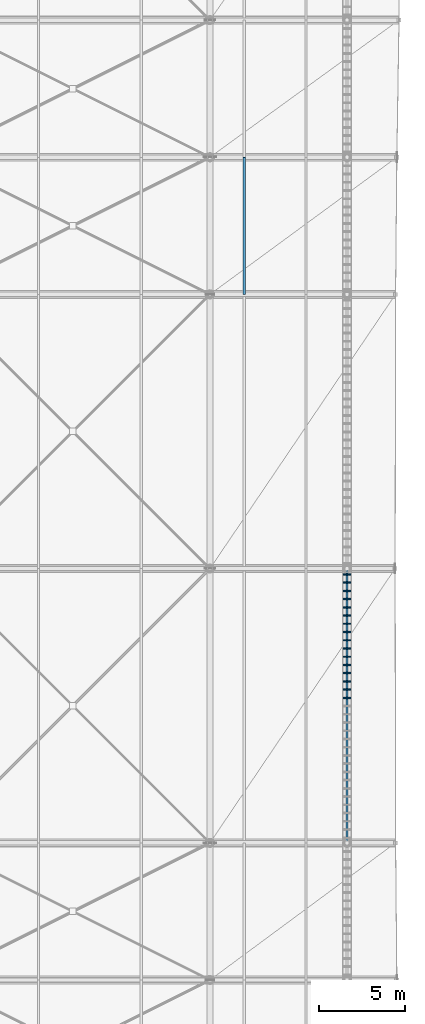
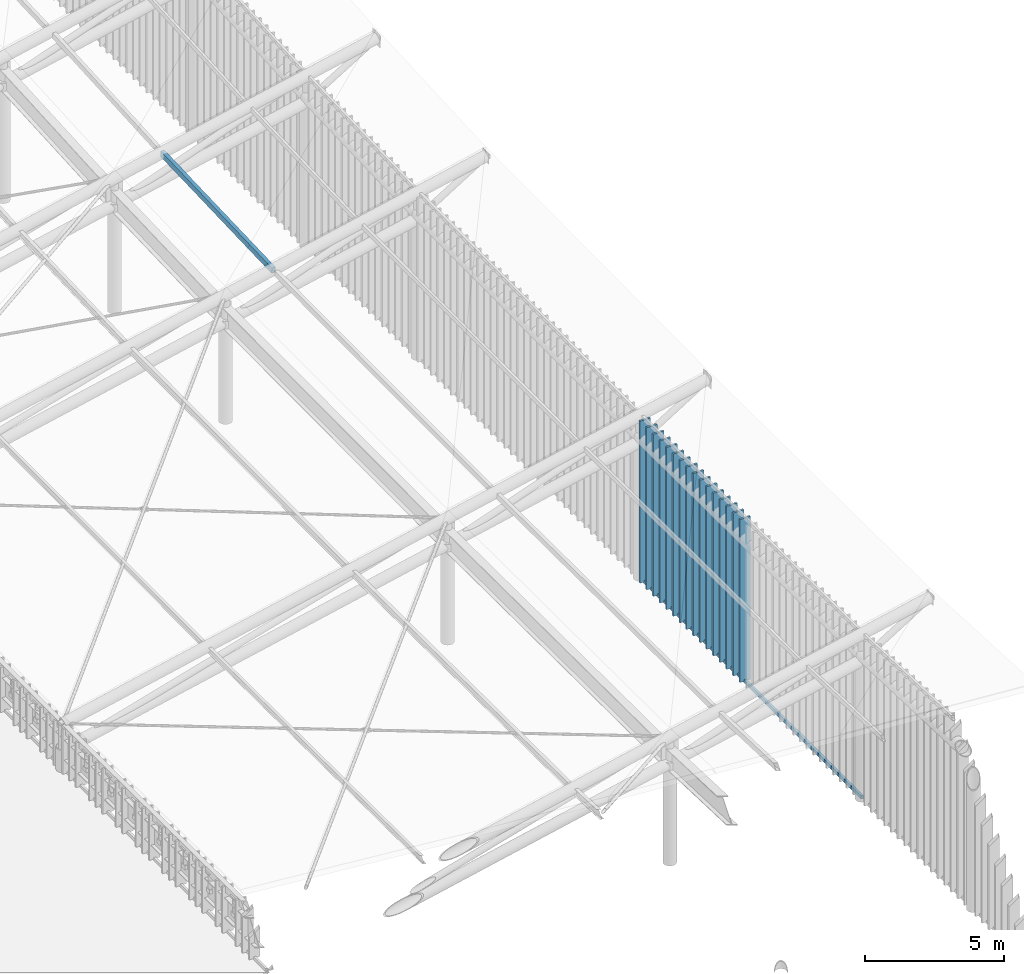
# One storey, part 9 of 25: 18 members.
"""IFC4 building model written with IfcOpenShell, lengths in metres."""

import ifcopenshell
import ifcopenshell.guid

model = None  # the IFC model being written
_history = None  # IfcOwnerHistory: only IFC2X3 demands one
_inside = {}  # id of a spatial element -> (the spatial element, [elements in it])
_under = {}  # id of a project, library or spatial element -> (it, [spatial elements below it])
_declared = {}  # id of a project -> (the project, [libraries it declares])
_typed = {}  # id of a type object -> (the type object, [elements of that type])
_made_of = {}  # id of a material, layer set ... -> (it, [elements and type objects made of it])


def new_model(schema):
    """Start an empty IFC model of exactly this schema.

    Asked for "IFC4X3", IfcOpenShell would pick the latest addendum, in which some entities
    have other attributes; the version numbers below select the first issue.
    IFC2X3 requires an IfcOwnerHistory on every rooted entity: one is made here for all.
    """
    global model, _history
    if schema == "IFC4X3":
        model = ifcopenshell.file(schema_version=(4, 3, 0, 0))
    else:
        model = ifcopenshell.file(schema=schema)
    _inside.clear()
    _under.clear()
    _declared.clear()
    _typed.clear()
    _made_of.clear()
    _history = None
    if model.schema == "IFC2X3":
        org = make("IfcOrganization", Name="unknown")
        user = make(
            "IfcPersonAndOrganization",
            ThePerson=make("IfcPerson", FamilyName="unknown"),
            TheOrganization=org,
        )
        app = make(
            "IfcApplication",
            ApplicationDeveloper=org,
            Version="unknown",
            ApplicationFullName="unknown",
            ApplicationIdentifier="unknown",
        )
        _history = make(
            "IfcOwnerHistory",
            OwningUser=user,
            OwningApplication=app,
            ChangeAction="ADDED",
            CreationDate=0,
        )
    return model


def make(cls, **values):
    """One entity of the class cls with the attributes given. An attribute that is None is left unset."""
    return model.create_entity(
        cls, **{name: value for name, value in values.items() if value is not None}
    )


def rooted(cls, **values):
    """An entity with a GlobalId (a new one), such as an element, a storey or a relation."""
    return make(cls, GlobalId=ifcopenshell.guid.new(), OwnerHistory=_history, **values)


def si_unit(unit_type, name, prefix=None):
    """IfcSIUnit, for example si_unit("LENGTHUNIT", "METRE", prefix="MILLI")."""
    return make("IfcSIUnit", UnitType=unit_type, Prefix=prefix, Name=name)


def assignment(units):
    """IfcUnitAssignment: the units of a project."""
    return None if units is None else make("IfcUnitAssignment", Units=units)


def point(xyz):
    """IfcCartesianPoint."""
    return None if xyz is None else make("IfcCartesianPoint", Coordinates=xyz)


def direction(xyz):
    """IfcDirection."""
    return None if xyz is None else make("IfcDirection", DirectionRatios=xyz)


def frame(location, z_axis=None, x_axis=None):
    """IfcAxis2Placement3D, a coordinate frame: its origin and axes. An axis left out is left unset."""
    return make(
        "IfcAxis2Placement3D",
        Location=point(location),
        Axis=direction(z_axis),
        RefDirection=direction(x_axis),
    )


def frame_2d(location, x_axis=None):
    """IfcAxis2Placement2D, a coordinate frame in the plane: its origin and x axis."""
    return make(
        "IfcAxis2Placement2D", Location=point(location), RefDirection=direction(x_axis)
    )


def origin():
    """The frame at (0, 0, 0) with its axes left unset."""
    return frame((0.0, 0.0, 0.0))


def origin_2d():
    """The frame at (0, 0) in the plane with its x axis left unset."""
    return frame_2d((0.0, 0.0))


def place(relative_to, where):
    """IfcLocalPlacement: puts the frame where relative to a parent placement (None: the world)."""
    return make(
        "IfcLocalPlacement", PlacementRelTo=relative_to, RelativePlacement=where
    )


def context(
    kind, dimensions, precision=None, world=None, true_north=None, identifier=None
):
    """IfcGeometricRepresentationContext, for example the 3D "Model" context."""
    return make(
        "IfcGeometricRepresentationContext",
        ContextIdentifier=identifier,
        ContextType=kind,
        CoordinateSpaceDimension=dimensions,
        Precision=precision,
        WorldCoordinateSystem=world,
        TrueNorth=true_north,
    )


def subcontext(parent, identifier, kind, view, scale=None):
    """IfcGeometricRepresentationSubContext, for example "Body" below "Model"."""
    return make(
        "IfcGeometricRepresentationSubContext",
        ContextIdentifier=identifier,
        ContextType=kind,
        ParentContext=parent,
        TargetScale=scale,
        TargetView=view,
    )


def project(units=None, contexts=None):
    """IfcProject with its units and contexts."""
    return rooted(
        "IfcProject",
        Name="project",
        RepresentationContexts=contexts,
        UnitsInContext=assignment(units),
    )


def spatial(cls, under=None, at=None, **own):
    """A site, building, storey or space (cls), placed at a placement, below another one or the project."""
    s = rooted(cls, ObjectPlacement=at, **own)
    if under is not None:
        _under.setdefault(under.id(), (under, []))[1].append(s)
    return s


def profile(cls, at=None, kind="AREA", **sizes):
    """A parametric profile (cls). Its sizes go by their IFC names, for example OverallWidth=200.0."""
    return make(cls, ProfileType=kind, Position=at, **sizes)


def rectangle(**sizes):
    """IfcRectangleProfileDef."""
    return profile("IfcRectangleProfileDef", **sizes)


def hollow_rectangle(**sizes):
    """IfcRectangleHollowProfileDef."""
    return profile("IfcRectangleHollowProfileDef", **sizes)


def extrude(swept, where, along, depth):
    """IfcExtrudedAreaSolid: the profile swept, set in the frame where, extruded along a direction by depth."""
    return make(
        "IfcExtrudedAreaSolid",
        SweptArea=swept,
        Position=where,
        ExtrudedDirection=direction(along),
        Depth=depth,
    )


def shape(context_of_items, identifier, shape_type, items):
    """IfcShapeRepresentation: the items that make up one representation, for example the "Body"."""
    return make(
        "IfcShapeRepresentation",
        ContextOfItems=context_of_items,
        RepresentationIdentifier=identifier,
        RepresentationType=shape_type,
        Items=items,
    )


def material(Name=None, Category=None):
    """IfcMaterial."""
    return make("IfcMaterial", Name=Name, Category=Category)


def material_profile(
    of_material, cross_section, Name=None, Category=None, Priority=None
):
    """IfcMaterialProfile: a cross section and its material."""
    return make(
        "IfcMaterialProfile",
        Name=Name,
        Material=of_material,
        Profile=cross_section,
        Priority=Priority,
        Category=Category,
    )


def profile_set(profiles, Name=None, composite=None):
    """IfcMaterialProfileSet."""
    return make(
        "IfcMaterialProfileSet",
        Name=Name,
        MaterialProfiles=profiles,
        CompositeProfile=composite,
    )


def made_of(thing, what):
    """Note that an element or type object is made of a material, layer set ...; save() writes the relation."""
    if what is not None:
        _made_of.setdefault(what.id(), (what, []))[1].append(thing)
    return thing


def type_object(cls, material=None, **own):
    """A type object (cls), such as IfcWallType, which elements share."""
    return made_of(rooted(cls, **own), material)


def element(
    cls,
    number,
    at=None,
    inside=None,
    cuts=None,
    type_object=None,
    material=None,
    context=None,
    identifier="Body",
    shape_type=None,
    held_by="IfcProductDefinitionShape",
    body=None,
    shapes=None,
    **own,
):
    """One element of the class cls, such as IfcWall. Its Tag is "e" and its number.

    at: its placement. inside: the storey or other place that contains it. cuts: it is an
    opening in that element (IfcRelVoidsElement). A single representation is given by context,
    identifier, shape_type and body (its items); several are given by shapes. held_by: the class
    of the entity that holds the representations. save() writes the other relations.
    """
    e = rooted(cls, Tag="e%d" % number, ObjectPlacement=at, **own)
    if body is not None:
        shapes = [shape(context, identifier, shape_type, body)]
    if shapes is not None:
        e.Representation = make(held_by, Representations=shapes)
    if inside is not None:
        _inside.setdefault(inside.id(), (inside, []))[1].append(e)
    if cuts is not None:
        rooted(
            "IfcRelVoidsElement", RelatingBuildingElement=cuts, RelatedOpeningElement=e
        )
    if type_object is not None:
        _typed.setdefault(type_object.id(), (type_object, []))[1].append(e)
    return made_of(e, material)


def aggregate(whole, parts):
    """IfcRelAggregates: a whole, such as a stair, and the parts it consists of."""
    return rooted("IfcRelAggregates", RelatingObject=whole, RelatedObjects=parts)


def save(model, path):
    """Write the relations noted so far, then the file.

    IfcRelAggregates (storeys below a building ...), IfcRelContainedInSpatialStructure (elements
    in a storey), IfcRelDefinesByType, IfcRelAssociatesMaterial and IfcRelDeclares: one each for
    every whole, place, type object, material and project.
    """
    for whole, parts in _under.values():
        aggregate(whole, parts)
    for where, things in _inside.values():
        rooted(
            "IfcRelContainedInSpatialStructure",
            RelatedElements=things,
            RelatingStructure=where,
        )
    for kind, things in _typed.values():
        rooted("IfcRelDefinesByType", RelatedObjects=things, RelatingType=kind)
    for what, things in _made_of.values():
        rooted("IfcRelAssociatesMaterial", RelatedObjects=things, RelatingMaterial=what)
    for by, libraries in _declared.values():
        rooted("IfcRelDeclares", RelatingContext=by, RelatedDefinitions=libraries)
    model.write(path)


model = new_model("IFC4")

# Units and contexts
model_context = context("Model", 3, precision=1e-05, world=origin(), true_north=direction((0.0, 1.0)))
body_context = subcontext(model_context, "Body", "Model", "MODEL_VIEW")
ifc_project = project(units=[si_unit("LENGTHUNIT", "METRE"), si_unit("AREAUNIT", "SQUARE_METRE"), si_unit("VOLUMEUNIT", "CUBIC_METRE"), si_unit("PLANEANGLEUNIT", "RADIAN"), si_unit("MASSUNIT", "GRAM", prefix="KILO")], contexts=[model_context])

# Site, building, storey
site_placement = place(None, origin())
site = spatial("IfcSite", under=ifc_project, at=site_placement, CompositionType="ELEMENT")
building_placement = place(site_placement, origin())
building = spatial("IfcBuilding", under=site, at=building_placement, Name="Haebicheon Civic Stadium", CompositionType="ELEMENT")
storey_placement = place(building_placement, frame((0.0, 0.0, 31.199951171875)))
storey = spatial("IfcBuildingStorey", under=building, at=storey_placement, Name="RF", CompositionType="ELEMENT", Elevation=31.199951171875)

# Members
ifc_material_1 = material(Name="Acetylated timber GL28h", Category="wood")
ifc_material_profile_1 = material_profile(ifc_material_1, rectangle(XDim=0.080078125, YDim=0.43994140625, at=origin_2d()), Name="TMB-LOUV-80x440")
ifc_profile_set_1 = profile_set([ifc_material_profile_1], Name="Acetylated timber GL28h")
member_type_1 = type_object("IfcMemberType", Name="CRN-LVR-440x80", PredefinedType="PLATE", material=ifc_profile_set_1)
member_1_placement = place(storey_placement, frame((72.0, 80.4599609375, 0.050048828125), z_axis=(0.0, 0.0, 1.0), x_axis=(0.0, 1.0, 0.0)))
element("IfcMember", 1, at=member_1_placement, inside=storey, type_object=member_type_1, material=ifc_profile_set_1, Name="Crown wind-baffle slat E.4.18", PredefinedType="PLATE", context=body_context, shape_type="SweptSolid", body=[
    extrude(rectangle(XDim=0.080078125, YDim=0.43994140625, at=origin_2d()), origin(), (0.0, 0.0, 1.0), 7.1650390625),
])
member_2_placement = place(storey_placement, frame((72.0, 80.93994140625, 0.050048828125), z_axis=(0.0, 0.0, 1.0), x_axis=(0.0, 1.0, 0.0)))
element("IfcMember", 2, at=member_2_placement, inside=storey, type_object=member_type_1, material=ifc_profile_set_1, Name="Crown wind-baffle slat E.4.19", PredefinedType="PLATE", context=body_context, shape_type="SweptSolid", body=[
    extrude(rectangle(XDim=0.080078125, YDim=0.43994140625, at=origin_2d()), origin(), (0.0, 0.0, 1.0), 7.162109375),
])
member_3_placement = place(storey_placement, frame((72.0, 81.419921875, 0.050048828125), z_axis=(0.0, 0.0, 1.0), x_axis=(0.0, 1.0, 0.0)))
element("IfcMember", 3, at=member_3_placement, inside=storey, type_object=member_type_1, material=ifc_profile_set_1, Name="Crown wind-baffle slat E.4.20", PredefinedType="PLATE", context=body_context, shape_type="SweptSolid", body=[
    extrude(rectangle(XDim=0.080078125, YDim=0.43994140625, at=origin_2d()), origin(), (0.0, 0.0, 1.0), 7.158935546875),
])
member_4_placement = place(storey_placement, frame((72.0, 81.89990234375, 0.050048828125), z_axis=(0.0, 0.0, 1.0), x_axis=(0.0, 1.0, 0.0)))
element("IfcMember", 4, at=member_4_placement, inside=storey, type_object=member_type_1, material=ifc_profile_set_1, Name="Crown wind-baffle slat E.4.21", PredefinedType="PLATE", context=body_context, shape_type="SweptSolid", body=[
    extrude(rectangle(XDim=0.080078125, YDim=0.43994140625, at=origin_2d()), origin(), (0.0, 0.0, 1.0), 7.156982421875),
])
member_5_placement = place(storey_placement, frame((72.0, 82.3798828125, 0.050048828125), z_axis=(0.0, 0.0, 1.0), x_axis=(0.0, 1.0, 0.0)))
element("IfcMember", 5, at=member_5_placement, inside=storey, type_object=member_type_1, material=ifc_profile_set_1, Name="Crown wind-baffle slat E.4.22", PredefinedType="PLATE", context=body_context, shape_type="SweptSolid", body=[
    extrude(rectangle(XDim=0.080078125, YDim=0.43994140625, at=origin_2d()), origin(), (0.0, 0.0, 1.0), 7.154052734375),
])
member_6_placement = place(storey_placement, frame((72.0, 82.860107421875, 0.050048828125), z_axis=(0.0, 0.0, 1.0), x_axis=(0.0, 1.0, 0.0)))
element("IfcMember", 6, at=member_6_placement, inside=storey, type_object=member_type_1, material=ifc_profile_set_1, Name="Crown wind-baffle slat E.4.23", PredefinedType="PLATE", context=body_context, shape_type="SweptSolid", body=[
    extrude(rectangle(XDim=0.080078125, YDim=0.43994140625, at=origin_2d()), origin(), (0.0, 0.0, 1.0), 7.15087890625),
])
member_7_placement = place(storey_placement, frame((72.0, 83.340087890625, 0.050048828125), z_axis=(0.0, 0.0, 1.0), x_axis=(0.0, 1.0, 0.0)))
element("IfcMember", 7, at=member_7_placement, inside=storey, type_object=member_type_1, material=ifc_profile_set_1, Name="Crown wind-baffle slat E.4.24", PredefinedType="PLATE", context=body_context, shape_type="SweptSolid", body=[
    extrude(rectangle(XDim=0.080078125, YDim=0.43994140625, at=origin_2d()), origin(), (0.0, 0.0, 1.0), 7.14794921875),
])
member_8_placement = place(storey_placement, frame((72.0, 83.820068359375, 0.050048828125), z_axis=(0.0, 0.0, 1.0), x_axis=(0.0, 1.0, 0.0)))
element("IfcMember", 8, at=member_8_placement, inside=storey, type_object=member_type_1, material=ifc_profile_set_1, Name="Crown wind-baffle slat E.4.25", PredefinedType="PLATE", context=body_context, shape_type="SweptSolid", body=[
    extrude(rectangle(XDim=0.080078125, YDim=0.43994140625, at=origin_2d()), origin(), (0.0, 0.0, 1.0), 7.14501953125),
])
member_9_placement = place(storey_placement, frame((72.0, 84.300048828125, 0.050048828125), z_axis=(0.0, 0.0, 1.0), x_axis=(0.0, 1.0, 0.0)))
element("IfcMember", 9, at=member_9_placement, inside=storey, type_object=member_type_1, material=ifc_profile_set_1, Name="Crown wind-baffle slat E.4.26", PredefinedType="PLATE", context=body_context, shape_type="SweptSolid", body=[
    extrude(rectangle(XDim=0.080078125, YDim=0.43994140625, at=origin_2d()), origin(), (0.0, 0.0, 1.0), 7.14208984375),
])
member_10_placement = place(storey_placement, frame((72.0, 84.780029296875, 0.050048828125), z_axis=(0.0, 0.0, 1.0), x_axis=(0.0, 1.0, 0.0)))
element("IfcMember", 10, at=member_10_placement, inside=storey, type_object=member_type_1, material=ifc_profile_set_1, Name="Crown wind-baffle slat E.4.27", PredefinedType="PLATE", context=body_context, shape_type="SweptSolid", body=[
    extrude(rectangle(XDim=0.080078125, YDim=0.43994140625, at=origin_2d()), origin(), (0.0, 0.0, 1.0), 7.138916015625),
])
member_11_placement = place(storey_placement, frame((72.0, 85.260009765625, 0.050048828125), z_axis=(0.0, 0.0, 1.0), x_axis=(0.0, 1.0, 0.0)))
element("IfcMember", 11, at=member_11_placement, inside=storey, type_object=member_type_1, material=ifc_profile_set_1, Name="Crown wind-baffle slat E.4.28", PredefinedType="PLATE", context=body_context, shape_type="SweptSolid", body=[
    extrude(rectangle(XDim=0.080078125, YDim=0.43994140625, at=origin_2d()), origin(), (0.0, 0.0, 1.0), 7.135986328125),
])
member_12_placement = place(storey_placement, frame((72.0, 85.739990234375, 0.050048828125), z_axis=(0.0, 0.0, 1.0), x_axis=(0.0, 1.0, 0.0)))
element("IfcMember", 12, at=member_12_placement, inside=storey, type_object=member_type_1, material=ifc_profile_set_1, Name="Crown wind-baffle slat E.4.29", PredefinedType="PLATE", context=body_context, shape_type="SweptSolid", body=[
    extrude(rectangle(XDim=0.080078125, YDim=0.43994140625, at=origin_2d()), origin(), (0.0, 0.0, 1.0), 7.134033203125),
])
member_13_placement = place(storey_placement, frame((72.0, 86.219970703125, 0.050048828125), z_axis=(0.0, 0.0, 1.0), x_axis=(0.0, 1.0, 0.0)))
element("IfcMember", 13, at=member_13_placement, inside=storey, type_object=member_type_1, material=ifc_profile_set_1, Name="Crown wind-baffle slat E.4.30", PredefinedType="PLATE", context=body_context, shape_type="SweptSolid", body=[
    extrude(rectangle(XDim=0.080078125, YDim=0.43994140625, at=origin_2d()), origin(), (0.0, 0.0, 1.0), 7.131103515625),
])
member_14_placement = place(storey_placement, frame((72.0, 86.699951171875, 0.050048828125), z_axis=(0.0, 0.0, 1.0), x_axis=(0.0, 1.0, 0.0)))
element("IfcMember", 14, at=member_14_placement, inside=storey, type_object=member_type_1, material=ifc_profile_set_1, Name="Crown wind-baffle slat E.4.31", PredefinedType="PLATE", context=body_context, shape_type="SweptSolid", body=[
    extrude(rectangle(XDim=0.080078125, YDim=0.43994140625, at=origin_2d()), origin(), (0.0, 0.0, 1.0), 7.1279296875),
])
member_15_placement = place(storey_placement, frame((72.0, 87.179931640625, 0.050048828125), z_axis=(0.0, 0.0, 1.0), x_axis=(0.0, 1.0, 0.0)))
element("IfcMember", 15, at=member_15_placement, inside=storey, type_object=member_type_1, material=ifc_profile_set_1, Name="Crown wind-baffle slat E.4.32", PredefinedType="PLATE", context=body_context, shape_type="SweptSolid", body=[
    extrude(rectangle(XDim=0.080078125, YDim=0.43994140625, at=origin_2d()), origin(), (0.0, 0.0, 1.0), 7.125),
])
member_16_placement = place(storey_placement, frame((72.0, 87.659912109375, 0.050048828125), z_axis=(0.0, 0.0, 1.0), x_axis=(0.0, 1.0, 0.0)))
element("IfcMember", 16, at=member_16_placement, inside=storey, type_object=member_type_1, material=ifc_profile_set_1, Name="Crown wind-baffle slat E.4.33", PredefinedType="PLATE", context=body_context, shape_type="SweptSolid", body=[
    extrude(rectangle(XDim=0.080078125, YDim=0.43994140625, at=origin_2d()), origin(), (0.0, 0.0, 1.0), 7.1220703125),
])
ifc_material_2 = material(Name="White painted steel SM490", Category="steel")
ifc_material_profile_2 = material_profile(ifc_material_2, hollow_rectangle(XDim=0.14990234375, YDim=0.25, WallThickness=0.010009765625, at=origin_2d()), Name="RHS-250x150x10.0")
ifc_profile_set_2 = profile_set([ifc_material_profile_2], Name="White painted steel SM490")
member_type_2 = type_object("IfcMemberType", Name="PRL-RHS250", PredefinedType="PURLIN", material=ifc_profile_set_2)
member_17_placement = place(storey_placement, frame((66.0, 104.0, 5.906005859375), z_axis=(0.0, 0.999347848438, 0.03610924843), x_axis=(-1.0, 0.0, 0.0)))
element("IfcMember", 17, at=member_17_placement, inside=storey, type_object=member_type_2, material=ifc_profile_set_2, Name="CAN-WEST canopy purlin bay 6 (75%)", PredefinedType="PURLIN", context=body_context, shape_type="SweptSolid", body=[
    extrude(hollow_rectangle(XDim=0.14990234375, YDim=0.25, WallThickness=0.010009765625, at=origin_2d()), origin(), (0.0, 0.0, 1.0), 8.005126953125),
])
ifc_material_3 = material(Name="Steel SM355 (S355)", Category="steel")
ifc_material_profile_3 = material_profile(ifc_material_3, hollow_rectangle(XDim=0.10009765625, YDim=0.14990234375, WallThickness=0.006103515625, at=origin_2d()), Name="RHS-150x100x6.0")
ifc_profile_set_3 = profile_set([ifc_material_profile_3], Name="Steel SM355 (S355)")
member_type_3 = type_object("IfcMemberType", Name="SUB-RHS150", PredefinedType="STRINGER", material=ifc_profile_set_3)
member_18_placement = place(storey_placement, frame((72.0, 72.0, 0.050048828125), z_axis=(0.0, 1.0, 0.0), x_axis=(-1.0, 0.0, 0.0)))
element("IfcMember", 18, at=member_18_placement, inside=storey, type_object=member_type_3, material=ifc_profile_set_3, Name="Crown baffle bottom rail E.4", PredefinedType="STRINGER", context=body_context, shape_type="SweptSolid", body=[
    extrude(hollow_rectangle(XDim=0.10009765625, YDim=0.14990234375, WallThickness=0.006103515625, at=origin_2d()), origin(), (0.0, 0.0, 1.0), 16.0),
])

save(model, "model.ifc")
